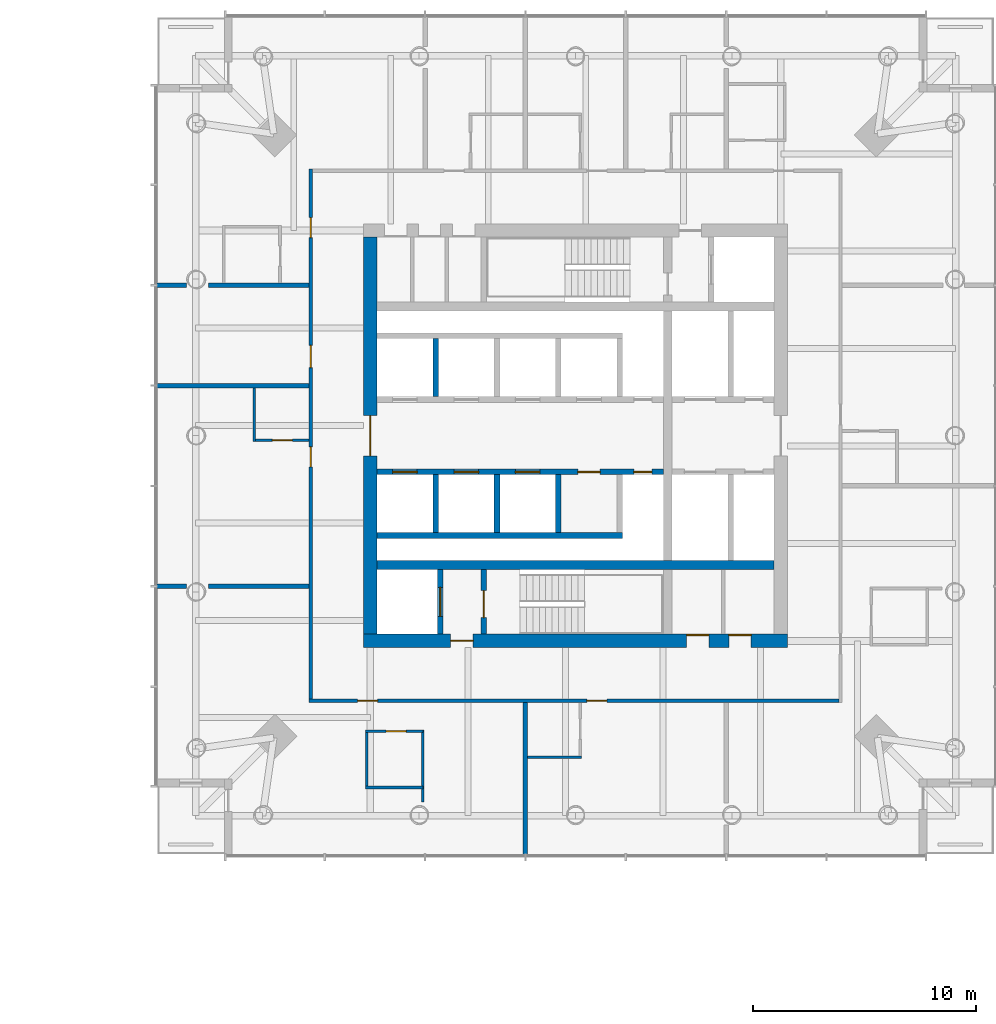
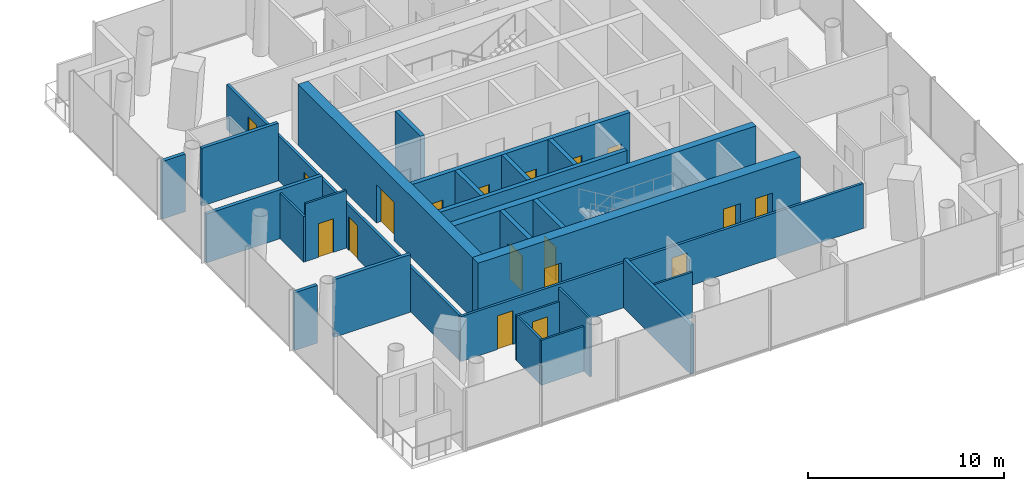
# One storey, part 13 of 26: 26 walls, 18 doors, 18 openings.
"""IFC4 building model written with IfcOpenShell, lengths in metres."""

from ifc_helpers import new_model, si_unit, direction, frame, frame_2d, origin, place, context, subcontext, project, spatial, rectangle, extrude, material, layer, layer_set, type_object, element, fill, save


model = new_model("IFC4")

# Units and contexts
model_context = context("Model", 3, precision=1e-05, world=origin(), true_north=direction((0.0, 1.0)))
body_context = subcontext(model_context, "Body", "Model", "MODEL_VIEW")
ifc_project = project(units=[si_unit("LENGTHUNIT", "METRE"), si_unit("AREAUNIT", "SQUARE_METRE"), si_unit("VOLUMEUNIT", "CUBIC_METRE"), si_unit("PLANEANGLEUNIT", "RADIAN"), si_unit("MASSUNIT", "GRAM", prefix="KILO")], contexts=[model_context])

# Site, building, storey
site_placement = place(None, origin())
site = spatial("IfcSite", under=ifc_project, at=site_placement, CompositionType="ELEMENT")
building_placement = place(site_placement, origin())
building = spatial("IfcBuilding", under=site, at=building_placement, Name="Ostroluk Exchange", CompositionType="ELEMENT")
storey_placement = place(building_placement, frame((0.0, 0.0, 66.60009765625)))
storey = spatial("IfcBuildingStorey", under=building, at=storey_placement, Name="L16", CompositionType="ELEMENT", Elevation=66.60009765625)

# Wall
ifc_material_1 = material(Name="Concrete C50/60", Category="concrete")
ifc_layer_1 = layer(ifc_material_1, 0.39990234375)
ifc_layer_set_1 = layer_set([ifc_layer_1], Name="Core cross wall 400 C50/60")
wall_type_1 = type_object("IfcWallType", Name="Core cross wall 400 C50/60", PredefinedType="SHEAR", material=ifc_layer_set_1)
wall_1_placement = place(storey_placement, frame((108.10009765625, 40.199951171875, 0.0), z_axis=(0.0, 0.0, 1.0), x_axis=(1.0, 0.0, 0.0)))
element("IfcWall", 1, at=wall_1_placement, inside=storey, type_object=wall_type_1, Name="T2 core wall XS", PredefinedType="SHEAR", context=body_context, shape_type="SweptSolid", body=[
    extrude(rectangle(XDim=17.7998046875, YDim=0.39990234375, at=frame_2d((8.89990234375, 0.0))), origin(), (0.0, 0.0, 1.0), 3.7998046875),
])

# Wall, opening, door
ifc_material_2 = material(Name="Concrete C40/50", Category="concrete")
ifc_layer_2 = layer(ifc_material_2, 0.25)
ifc_layer_set_2 = layer_set([ifc_layer_2], Name="Core shaft wall 250")
wall_type_2 = type_object("IfcWallType", Name="Core shaft wall 250", PredefinedType="SHEAR", material=ifc_layer_set_2)
wall_2_placement = place(storey_placement, frame((110.925048828125, 37.10009765625, 0.0), z_axis=(0.0, 0.0, 1.0), x_axis=(0.0, 1.0, 0.0)))
wall_2 = element("IfcWall", 2, at=wall_2_placement, inside=storey, type_object=wall_type_2, Name="Firefighting lift shaft wall", PredefinedType="SHEAR", context=body_context, shape_type="SweptSolid", body=[
    extrude(rectangle(XDim=2.89990234375, YDim=0.25, at=frame_2d((1.449951171875, 0.0))), origin(), (0.0, 0.0, 1.0), 3.7998046875),
])
opening_1_placement = place(wall_2_placement, frame((0.800048828125, 0.0, 0.0)))
opening_1 = element("IfcOpeningElement", 3, at=opening_1_placement, cuts=wall_2, Name="Opening LD2", PredefinedType="OPENING", context=body_context, shape_type="SweptSolid", body=[
    extrude(rectangle(XDim=1.300048828125, YDim=2.199951171875, at=frame_2d((0.64990234375, 1.10009765625))), frame((0.0, 0.135009765625, 0.0), z_axis=(0.0, -1.0, 0.0), x_axis=(1.0, 0.0, 0.0)), (0.0, 0.0, 1.0), 0.27001953125),
])
ifc_material_3 = material(Name="Stainless steel", Category="steel")
door_type_1 = type_object("IfcDoorType", Name="Lift landing door E 60 1300 x 2200", OperationType="DOUBLE_DOOR_SLIDING", PredefinedType="DOOR", material=ifc_material_3)
door_1_placement = place(opening_1_placement, origin())
door_1 = element("IfcDoor", 4, at=door_1_placement, inside=storey, type_object=door_type_1, Name="Lift HF1 landing door", OperationType="DOUBLE_DOOR_SLIDING", OverallHeight=2.199951171875, OverallWidth=1.300048828125, PredefinedType="DOOR", context=body_context, shape_type="SweptSolid", body=[
    extrude(rectangle(XDim=1.300048828125, YDim=2.199951171875, at=frame_2d((0.64990234375, 1.10009765625))), frame((0.0, 0.02490234375, 0.0), z_axis=(0.0, -1.0, 0.0), x_axis=(1.0, 0.0, 0.0)), (0.0, 0.0, 1.0), 0.050048828125),
])
fill(opening_1, door_1)

wall_3_placement = place(storey_placement, frame((112.875, 37.10009765625, 0.0), z_axis=(0.0, 0.0, 1.0), x_axis=(0.0, 1.0, 0.0)))
wall_3 = element("IfcWall", 5, at=wall_3_placement, inside=storey, type_object=wall_type_2, Name="Stair shaft wall", PredefinedType="SHEAR", context=body_context, shape_type="SweptSolid", body=[
    extrude(rectangle(XDim=2.89990234375, YDim=0.25, at=frame_2d((1.449951171875, 0.0))), origin(), (0.0, 0.0, 1.0), 3.7998046875),
])
opening_2_placement = place(wall_3_placement, frame((0.75, 0.0, 0.0)))
opening_2 = element("IfcOpeningElement", 6, at=opening_2_placement, cuts=wall_3, Name="Opening FD60S", PredefinedType="OPENING", context=body_context, shape_type="SweptSolid", body=[
    extrude(rectangle(XDim=1.199951171875, YDim=2.10009765625, at=frame_2d((0.60009765625, 1.050048828125))), frame((0.0, 0.135009765625, 0.0), z_axis=(0.0, -1.0, 0.0), x_axis=(1.0, 0.0, 0.0)), (0.0, 0.0, 1.0), 0.27001953125),
])
ifc_material_4 = material(Name="Steel", Category="steel")
door_type_2 = type_object("IfcDoorType", Name="Stair door EI 60 1200 x 2100", OperationType="SINGLE_SWING_LEFT", PredefinedType="DOOR", material=ifc_material_4)
door_2_placement = place(opening_2_placement, origin())
door_2 = element("IfcDoor", 7, at=door_2_placement, inside=storey, type_object=door_type_2, Name="Stair T2-S1 door", OperationType="SINGLE_SWING_LEFT", OverallHeight=2.10009765625, OverallWidth=1.199951171875, PredefinedType="DOOR", context=body_context, shape_type="SweptSolid", body=[
    extrude(rectangle(XDim=1.199951171875, YDim=2.10009765625, at=frame_2d((0.60009765625, 1.050048828125))), frame((0.0, 0.02490234375, 0.0), z_axis=(0.0, -1.0, 0.0), x_axis=(1.0, 0.0, 0.0)), (0.0, 0.0, 1.0), 0.050048828125),
])
fill(opening_2, door_2)

# Walls
for number, where, z_axis, x_axis, name in (
    (8, (110.72509765625, 47.75, 0.0), (0.0, 0.0, 1.0), (0.0, 1.0, 0.0), "Lift shaft wall"),
    (9, (110.72509765625, 44.25, 0.0), (0.0, 0.0, 1.0), (0.0, -1.0, 0.0), "Lift shaft wall"),
    (10, (113.47509765625, 44.25, 0.0), (0.0, 0.0, 1.0), (0.0, -1.0, 0.0), "Lift shaft wall"),
    (11, (116.22509765625, 44.25, 0.0), (0.0, 0.0, 1.0), (0.0, -1.0, 0.0), "Lift shaft wall"),
):
    element("IfcWall", number, at=place(storey_placement, frame(where, z_axis=z_axis, x_axis=x_axis)), inside=storey, type_object=wall_type_2, Name=name, PredefinedType="SHEAR", context=body_context, shape_type="SweptSolid", body=[
        extrude(rectangle(XDim=2.60009765625, YDim=0.25, at=frame_2d((1.300048828125, 0.0))), origin(), (0.0, 0.0, 1.0), 3.7998046875),
    ])
wall_4_placement = place(storey_placement, frame((108.10009765625, 41.52490234375, 0.0), z_axis=(0.0, 0.0, 1.0), x_axis=(1.0, 0.0, 0.0)))
element("IfcWall", 12, at=wall_4_placement, inside=storey, type_object=wall_type_2, Name="Lift shaft wall", PredefinedType="SHEAR", context=body_context, shape_type="SweptSolid", body=[
    extrude(rectangle(XDim=11.0, YDim=0.25, at=frame_2d((5.5, 0.0))), origin(), (0.0, 0.0, 1.0), 3.7998046875),
])

# Wall, openings, doors
wall_5_placement = place(storey_placement, frame((108.10009765625, 44.375, 0.0), z_axis=(0.0, 0.0, 1.0), x_axis=(1.0, 0.0, 0.0)))
wall_5 = element("IfcWall", 13, at=wall_5_placement, inside=storey, type_object=wall_type_2, Name="Lift shaft front wall", PredefinedType="SHEAR", context=body_context, shape_type="SweptSolid", body=[
    extrude(rectangle(XDim=12.829833984375, YDim=0.25, at=frame_2d((6.4150390625, 0.0))), origin(), (0.0, 0.0, 1.0), 3.7998046875),
])
opening_3_placement = place(wall_5_placement, frame((0.699951171875, 0.0, 0.0)))
opening_3 = element("IfcOpeningElement", 14, at=opening_3_placement, cuts=wall_5, Name="Opening LD", PredefinedType="OPENING", context=body_context, shape_type="SweptSolid", body=[
    extrude(rectangle(XDim=1.10009765625, YDim=2.199951171875, at=frame_2d((0.550048828125, 1.10009765625))), frame((0.0, 0.135009765625, 0.0), z_axis=(0.0, -1.0, 0.0), x_axis=(1.0, 0.0, 0.0)), (0.0, 0.0, 1.0), 0.27001953125),
])
opening_4_placement = place(wall_5_placement, frame((3.449951171875, 0.0, 0.0)))
opening_4 = element("IfcOpeningElement", 15, at=opening_4_placement, cuts=wall_5, Name="Opening LD", PredefinedType="OPENING", context=body_context, shape_type="SweptSolid", body=[
    extrude(rectangle(XDim=1.10009765625, YDim=2.199951171875, at=frame_2d((0.550048828125, 1.10009765625))), frame((0.0, 0.135009765625, 0.0), z_axis=(0.0, -1.0, 0.0), x_axis=(1.0, 0.0, 0.0)), (0.0, 0.0, 1.0), 0.27001953125),
])
opening_5_placement = place(wall_5_placement, frame((6.199951171875, 0.0, 0.0)))
opening_5 = element("IfcOpeningElement", 16, at=opening_5_placement, cuts=wall_5, Name="Opening LD", PredefinedType="OPENING", context=body_context, shape_type="SweptSolid", body=[
    extrude(rectangle(XDim=1.10009765625, YDim=2.199951171875, at=frame_2d((0.550048828125, 1.10009765625))), frame((0.0, 0.135009765625, 0.0), z_axis=(0.0, -1.0, 0.0), x_axis=(1.0, 0.0, 0.0)), (0.0, 0.0, 1.0), 0.27001953125),
])
opening_6_placement = place(wall_5_placement, frame((9.0, 0.0, 0.0)))
opening_6 = element("IfcOpeningElement", 17, at=opening_6_placement, cuts=wall_5, Name="Opening FD60", PredefinedType="OPENING", context=body_context, shape_type="SweptSolid", body=[
    extrude(rectangle(XDim=1.0, YDim=2.10009765625, at=frame_2d((0.5, 1.050048828125))), frame((0.0, 0.135009765625, 0.0), z_axis=(0.0, -1.0, 0.0), x_axis=(1.0, 0.0, 0.0)), (0.0, 0.0, 1.0), 0.27001953125),
])
opening_7_placement = place(wall_5_placement, frame((11.514892578125, 0.0, 0.0)))
opening_7 = element("IfcOpeningElement", 18, at=opening_7_placement, cuts=wall_5, Name="Opening RD60", PredefinedType="OPENING", context=body_context, shape_type="SweptSolid", body=[
    extrude(rectangle(XDim=0.800048828125, YDim=2.0, at=frame_2d((0.39990234375, 1.0))), frame((0.0, 0.135009765625, 0.0), z_axis=(0.0, -1.0, 0.0), x_axis=(1.0, 0.0, 0.0)), (0.0, 0.0, 1.0), 0.27001953125),
])
ifc_material_5 = material(Name="Steel", Category="steel")
door_type_3 = type_object("IfcDoorType", Name="Fire door EI 60 1000 x 2100", OperationType="SINGLE_SWING_LEFT", PredefinedType="DOOR", material=ifc_material_5)
door_3_placement = place(opening_6_placement, origin())
door_3 = element("IfcDoor", 19, at=door_3_placement, inside=storey, type_object=door_type_3, Name="Core room door", OperationType="SINGLE_SWING_RIGHT", OverallHeight=2.10009765625, OverallWidth=1.0, PredefinedType="DOOR", context=body_context, shape_type="SweptSolid", body=[
    extrude(rectangle(XDim=1.0, YDim=2.10009765625, at=frame_2d((0.5, 1.050048828125))), frame((0.0, 0.02490234375, 0.0), z_axis=(0.0, -1.0, 0.0), x_axis=(1.0, 0.0, 0.0)), (0.0, 0.0, 1.0), 0.050048828125),
])
fill(opening_6, door_3)
ifc_material_6 = material(Name="Stainless steel", Category="steel")
door_type_4 = type_object("IfcDoorType", Name="Lift landing door E 60 1100 x 2200", OperationType="DOUBLE_DOOR_SLIDING", PredefinedType="DOOR", material=ifc_material_6)
door_4_placement = place(opening_3_placement, origin())
door_4 = element("IfcDoor", 20, at=door_4_placement, inside=storey, type_object=door_type_4, Name="Lift HL5 landing door", OperationType="DOUBLE_DOOR_SLIDING", OverallHeight=2.199951171875, OverallWidth=1.10009765625, PredefinedType="DOOR", context=body_context, shape_type="SweptSolid", body=[
    extrude(rectangle(XDim=1.10009765625, YDim=2.199951171875, at=frame_2d((0.550048828125, 1.10009765625))), frame((0.0, 0.02490234375, 0.0), z_axis=(0.0, -1.0, 0.0), x_axis=(1.0, 0.0, 0.0)), (0.0, 0.0, 1.0), 0.050048828125),
])
fill(opening_3, door_4)
door_5_placement = place(opening_4_placement, origin())
door_5 = element("IfcDoor", 21, at=door_5_placement, inside=storey, type_object=door_type_4, Name="Lift HL6 landing door", OperationType="DOUBLE_DOOR_SLIDING", OverallHeight=2.199951171875, OverallWidth=1.10009765625, PredefinedType="DOOR", context=body_context, shape_type="SweptSolid", body=[
    extrude(rectangle(XDim=1.10009765625, YDim=2.199951171875, at=frame_2d((0.550048828125, 1.10009765625))), frame((0.0, 0.02490234375, 0.0), z_axis=(0.0, -1.0, 0.0), x_axis=(1.0, 0.0, 0.0)), (0.0, 0.0, 1.0), 0.050048828125),
])
fill(opening_4, door_5)
door_6_placement = place(opening_5_placement, origin())
door_6 = element("IfcDoor", 22, at=door_6_placement, inside=storey, type_object=door_type_4, Name="Lift HL7 landing door", OperationType="DOUBLE_DOOR_SLIDING", OverallHeight=2.199951171875, OverallWidth=1.10009765625, PredefinedType="DOOR", context=body_context, shape_type="SweptSolid", body=[
    extrude(rectangle(XDim=1.10009765625, YDim=2.199951171875, at=frame_2d((0.550048828125, 1.10009765625))), frame((0.0, 0.02490234375, 0.0), z_axis=(0.0, -1.0, 0.0), x_axis=(1.0, 0.0, 0.0)), (0.0, 0.0, 1.0), 0.050048828125),
])
fill(opening_5, door_6)
ifc_material_7 = material(Name="Steel", Category="steel")
door_type_5 = type_object("IfcDoorType", Name="Riser access door EI 60 800 x 2000", OperationType="SINGLE_SWING_LEFT", PredefinedType="DOOR", material=ifc_material_7)
door_7_placement = place(opening_7_placement, origin())
door_7 = element("IfcDoor", 23, at=door_7_placement, inside=storey, type_object=door_type_5, Name="Riser access door", OperationType="SINGLE_SWING_RIGHT", OverallHeight=2.0, OverallWidth=0.800048828125, PredefinedType="DOOR", context=body_context, shape_type="SweptSolid", body=[
    extrude(rectangle(XDim=0.800048828125, YDim=2.0, at=frame_2d((0.39990234375, 1.0))), frame((0.0, 0.02490234375, 0.0), z_axis=(0.0, -1.0, 0.0), x_axis=(1.0, 0.0, 0.0)), (0.0, 0.0, 1.0), 0.050048828125),
])
fill(opening_7, door_7)

ifc_material_8 = material(Name="Concrete C50/60", Category="concrete")
ifc_layer_3 = layer(ifc_material_8, 0.60009765625)
ifc_layer_set_3 = layer_set([ifc_layer_3], Name="Core wall 600 C50/60")
wall_type_3 = type_object("IfcWallType", Name="Core wall 600 C50/60", PredefinedType="SHEAR", material=ifc_layer_set_3)
wall_6_placement = place(storey_placement, frame((107.5, 36.800048828125, 0.0), z_axis=(0.0, 0.0, 1.0), x_axis=(1.0, 0.0, 0.0)))
wall_6 = element("IfcWall", 24, at=wall_6_placement, inside=storey, type_object=wall_type_3, Name="T2 core wall S", PredefinedType="SHEAR", context=body_context, shape_type="SweptSolid", body=[
    extrude(rectangle(XDim=19.0, YDim=0.60009765625, at=frame_2d((9.5, 0.0))), origin(), (0.0, 0.0, 1.0), 3.7998046875),
])
opening_8_placement = place(wall_6_placement, frame((3.89990234375, 0.0, 0.0)))
opening_8 = element("IfcOpeningElement", 25, at=opening_8_placement, cuts=wall_6, Name="Opening FD60", PredefinedType="OPENING", context=body_context, shape_type="SweptSolid", body=[
    extrude(rectangle(XDim=1.0, YDim=2.10009765625, at=frame_2d((0.5, 1.050048828125))), frame((0.0, 0.31005859375, 0.0), z_axis=(0.0, -1.0, 0.0), x_axis=(1.0, 0.0, 0.0)), (0.0, 0.0, 1.0), 0.6201171875),
])
opening_9_placement = place(wall_6_placement, frame((14.472412109375, 0.0, 0.0)))
opening_9 = element("IfcOpeningElement", 26, at=opening_9_placement, cuts=wall_6, Name="Opening FD60", PredefinedType="OPENING", context=body_context, shape_type="SweptSolid", body=[
    extrude(rectangle(XDim=1.0, YDim=2.10009765625, at=frame_2d((0.5, 1.050048828125))), frame((0.0, 0.31005859375, 0.0), z_axis=(0.0, -1.0, 0.0), x_axis=(1.0, 0.0, 0.0)), (0.0, 0.0, 1.0), 0.6201171875),
])
opening_10_placement = place(wall_6_placement, frame((16.364990234375, 0.0, 0.0)))
opening_10 = element("IfcOpeningElement", 27, at=opening_10_placement, cuts=wall_6, Name="Opening FD60", PredefinedType="OPENING", context=body_context, shape_type="SweptSolid", body=[
    extrude(rectangle(XDim=1.0, YDim=2.10009765625, at=frame_2d((0.5, 1.050048828125))), frame((0.0, 0.31005859375, 0.0), z_axis=(0.0, -1.0, 0.0), x_axis=(1.0, 0.0, 0.0)), (0.0, 0.0, 1.0), 0.6201171875),
])
door_8_placement = place(opening_8_placement, origin())
door_8 = element("IfcDoor", 28, at=door_8_placement, inside=storey, type_object=door_type_3, Name="Firefighting lobby door", OperationType="SINGLE_SWING_LEFT", OverallHeight=2.10009765625, OverallWidth=1.0, PredefinedType="DOOR", context=body_context, shape_type="SweptSolid", body=[
    extrude(rectangle(XDim=1.0, YDim=2.10009765625, at=frame_2d((0.5, 1.050048828125))), frame((0.0, 0.02490234375, 0.0), z_axis=(0.0, -1.0, 0.0), x_axis=(1.0, 0.0, 0.0)), (0.0, 0.0, 1.0), 0.050048828125),
])
fill(opening_8, door_8)
door_9_placement = place(opening_9_placement, origin())
door_9 = element("IfcDoor", 29, at=door_9_placement, inside=storey, type_object=door_type_3, Name="Ice and vending room door", OperationType="SINGLE_SWING_RIGHT", OverallHeight=2.10009765625, OverallWidth=1.0, PredefinedType="DOOR", context=body_context, shape_type="SweptSolid", body=[
    extrude(rectangle(XDim=1.0, YDim=2.10009765625, at=frame_2d((0.5, 1.050048828125))), frame((0.0, 0.2900390625, 0.0), z_axis=(0.0, -1.0, 0.0), x_axis=(1.0, 0.0, 0.0)), (0.0, 0.0, 1.0), 0.050048828125),
])
fill(opening_9, door_9)
door_10_placement = place(opening_10_placement, origin())
door_10 = element("IfcDoor", 30, at=door_10_placement, inside=storey, type_object=door_type_3, Name="Room-service pantry door", OperationType="SINGLE_SWING_RIGHT", OverallHeight=2.10009765625, OverallWidth=1.0, PredefinedType="DOOR", context=body_context, shape_type="SweptSolid", body=[
    extrude(rectangle(XDim=1.0, YDim=2.10009765625, at=frame_2d((0.5, 1.050048828125))), frame((0.0, 0.2900390625, 0.0), z_axis=(0.0, -1.0, 0.0), x_axis=(1.0, 0.0, 0.0)), (0.0, 0.0, 1.0), 0.050048828125),
])
fill(opening_10, door_10)

# Wall, opening, door
wall_7_placement = place(storey_placement, frame((107.800048828125, 37.10009765625, 0.0), z_axis=(0.0, 0.0, 1.0), x_axis=(0.0, 1.0, 0.0)))
wall_7 = element("IfcWall", 31, at=wall_7_placement, inside=storey, type_object=wall_type_3, Name="T2 core wall W", PredefinedType="SHEAR", context=body_context, shape_type="SweptSolid", body=[
    extrude(rectangle(XDim=17.7998046875, YDim=0.60009765625, at=frame_2d((8.89990234375, 0.0))), origin(), (0.0, 0.0, 1.0), 3.7998046875),
])
opening_11_placement = place(wall_7_placement, frame((8.0, 0.0, 0.0)))
opening_11 = element("IfcOpeningElement", 32, at=opening_11_placement, cuts=wall_7, Name="Opening FD30D", PredefinedType="OPENING", context=body_context, shape_type="SweptSolid", body=[
    extrude(rectangle(XDim=1.800048828125, YDim=2.39990234375, at=frame_2d((0.89990234375, 1.199951171875))), frame((0.0, 0.31005859375, 0.0), z_axis=(0.0, -1.0, 0.0), x_axis=(1.0, 0.0, 0.0)), (0.0, 0.0, 1.0), 0.6201171875),
])
ifc_material_9 = material(Name="Timber", Category="wood")
door_type_6 = type_object("IfcDoorType", Name="Lobby double door EI 30 1800 x 2400", OperationType="DOUBLE_DOOR_SINGLE_SWING", PredefinedType="DOOR", material=ifc_material_9)
door_11_placement = place(opening_11_placement, origin())
door_11 = element("IfcDoor", 33, at=door_11_placement, inside=storey, type_object=door_type_6, Name="Lift lobby doors", OperationType="DOUBLE_DOOR_SINGLE_SWING", OverallHeight=2.39990234375, OverallWidth=1.800048828125, PredefinedType="DOOR", context=body_context, shape_type="SweptSolid", body=[
    extrude(rectangle(XDim=1.800048828125, YDim=2.39990234375, at=frame_2d((0.89990234375, 1.199951171875))), frame((0.0, 0.02490234375, 0.0), z_axis=(0.0, -1.0, 0.0), x_axis=(1.0, 0.0, 0.0)), (0.0, 0.0, 1.0), 0.050048828125),
])
fill(opening_11, door_11)

# Wall
ifc_material_10 = material(Name="Gypsum plasterboard partition, moisture resistant", Category="gypsum")
ifc_layer_4 = layer(ifc_material_10, 0.1201171875)
ifc_layer_set_4 = layer_set([ifc_layer_4], Name="Plasterboard en-suite wall 120")
wall_type_4 = type_object("IfcWallType", Name="Plasterboard en-suite wall 120", PredefinedType="PARTITIONING", material=ifc_layer_set_4)
wall_8_placement = place(storey_placement, frame((102.590087890625, 48.14990234375, 0.0), z_axis=(0.0, 0.0, 1.0), x_axis=(0.0, -1.0, 0.0)))
element("IfcWall", 34, at=wall_8_placement, inside=storey, type_object=wall_type_4, Name="En-suite wall", PredefinedType="PARTITIONING", context=body_context, shape_type="SweptSolid", body=[
    extrude(rectangle(XDim=2.419921875, YDim=0.1201171875, at=frame_2d((1.2099609375, 0.0))), origin(), (0.0, 0.0, 1.0), 2.846923828125),
])

# Wall, opening, door
wall_9_placement = place(storey_placement, frame((105.050048828125, 45.7900390625, 0.0), z_axis=(0.0, 0.0, 1.0), x_axis=(-1.0, 0.0, 0.0)))
wall_9 = element("IfcWall", 35, at=wall_9_placement, inside=storey, type_object=wall_type_4, Name="En-suite wall", PredefinedType="PARTITIONING", context=body_context, shape_type="SweptSolid", body=[
    extrude(rectangle(XDim=2.400146484375, YDim=0.1201171875, at=frame_2d((1.2001953125, 0.0))), origin(), (0.0, 0.0, 1.0), 3.599853515625),
])
opening_12_placement = place(wall_9_placement, frame((0.75, 0.0, 0.0)))
opening_12 = element("IfcOpeningElement", 36, at=opening_12_placement, cuts=wall_9, Name="Opening D-02", PredefinedType="OPENING", context=body_context, shape_type="SweptSolid", body=[
    extrude(rectangle(XDim=0.89990234375, YDim=2.10009765625, at=frame_2d((0.449951171875, 1.050048828125))), frame((0.0, 0.070068359375, 0.0), z_axis=(0.0, -1.0, 0.0), x_axis=(1.0, 0.0, 0.0)), (0.0, 0.0, 1.0), 0.14013671875),
])
ifc_material_11 = material(Name="Timber", Category="wood")
door_type_7 = type_object("IfcDoorType", Name="En-suite door 900 x 2100", OperationType="SINGLE_SWING_LEFT", PredefinedType="DOOR", material=ifc_material_11)
door_12_placement = place(opening_12_placement, origin())
door_12 = element("IfcDoor", 37, at=door_12_placement, inside=storey, type_object=door_type_7, Name="En-suite door 1608", OperationType="SINGLE_SWING_RIGHT", OverallHeight=2.10009765625, OverallWidth=0.89990234375, PredefinedType="DOOR", context=body_context, shape_type="SweptSolid", body=[
    extrude(rectangle(XDim=0.89990234375, YDim=2.10009765625, at=frame_2d((0.449951171875, 1.050048828125))), frame((0.0, 0.02490234375, 0.0), z_axis=(0.0, -1.0, 0.0), x_axis=(1.0, 0.0, 0.0)), (0.0, 0.0, 1.0), 0.050048828125),
])
fill(opening_12, door_12)

wall_10_placement = place(storey_placement, frame((110.14990234375, 32.75, 0.0), z_axis=(0.0, 0.0, 1.0), x_axis=(-1.0, 0.0, 0.0)))
wall_10 = element("IfcWall", 38, at=wall_10_placement, inside=storey, type_object=wall_type_4, Name="En-suite wall", PredefinedType="PARTITIONING", context=body_context, shape_type="SweptSolid", body=[
    extrude(rectangle(XDim=2.579833984375, YDim=0.1201171875, at=frame_2d((1.2900390625, 0.0))), origin(), (0.0, 0.0, 1.0), 2.7998046875),
])
opening_13_placement = place(wall_10_placement, frame((0.75, 0.0, 0.0)))
opening_13 = element("IfcOpeningElement", 39, at=opening_13_placement, cuts=wall_10, Name="Opening D-02", PredefinedType="OPENING", context=body_context, shape_type="SweptSolid", body=[
    extrude(rectangle(XDim=0.89990234375, YDim=2.10009765625, at=frame_2d((0.449951171875, 1.050048828125))), frame((0.0, 0.070068359375, 0.0), z_axis=(0.0, -1.0, 0.0), x_axis=(1.0, 0.0, 0.0)), (0.0, 0.0, 1.0), 0.14013671875),
])
door_13_placement = place(opening_13_placement, origin())
door_13 = element("IfcDoor", 40, at=door_13_placement, inside=storey, type_object=door_type_7, Name="En-suite door 1609", OperationType="SINGLE_SWING_LEFT", OverallHeight=2.10009765625, OverallWidth=0.89990234375, PredefinedType="DOOR", context=body_context, shape_type="SweptSolid", body=[
    extrude(rectangle(XDim=0.89990234375, YDim=2.10009765625, at=frame_2d((0.449951171875, 1.050048828125))), frame((0.0, 0.02490234375, 0.0), z_axis=(0.0, -1.0, 0.0), x_axis=(1.0, 0.0, 0.0)), (0.0, 0.0, 1.0), 0.050048828125),
])
fill(opening_13, door_13)

# Walls
wall_11_placement = place(storey_placement, frame((110.14990234375, 30.22998046875, 0.0), z_axis=(0.0, 0.0, 1.0), x_axis=(-1.0, 0.0, 0.0)))
element("IfcWall", 41, at=wall_11_placement, inside=storey, type_object=wall_type_4, Name="En-suite wall", PredefinedType="PARTITIONING", context=body_context, shape_type="SweptSolid", body=[
    extrude(rectangle(XDim=2.579833984375, YDim=0.1201171875, at=frame_2d((1.2900390625, 0.0))), origin(), (0.0, 0.0, 1.0), 2.7998046875),
])
wall_12_placement = place(storey_placement, frame((107.6298828125, 32.68994140625, 0.0), z_axis=(0.0, 0.0, 1.0), x_axis=(0.0, -1.0, 0.0)))
element("IfcWall", 42, at=wall_12_placement, inside=storey, type_object=wall_type_4, Name="En-suite wall", PredefinedType="PARTITIONING", context=body_context, shape_type="SweptSolid", body=[
    extrude(rectangle(XDim=2.39990234375, YDim=0.1201171875, at=frame_2d((1.199951171875, 0.0))), origin(), (0.0, 0.0, 1.0), 2.7998046875),
])
wall_13_placement = place(storey_placement, frame((110.14990234375, 32.81005859375, 0.0), z_axis=(0.0, 0.0, 1.0), x_axis=(0.0, -1.0, 0.0)))
element("IfcWall", 43, at=wall_13_placement, inside=storey, type_object=wall_type_4, Name="En-suite wall", PredefinedType="PARTITIONING", context=body_context, shape_type="SweptSolid", body=[
    extrude(rectangle(XDim=3.22998046875, YDim=0.1201171875, at=frame_2d((1.614990234375, 0.0))), origin(), (0.0, 0.0, 1.0), 3.599853515625),
])
wall_14_placement = place(storey_placement, frame((114.85009765625, 31.590087890625, 0.0), z_axis=(0.0, 0.0, 1.0), x_axis=(1.0, 0.0, 0.0)))
element("IfcWall", 44, at=wall_14_placement, inside=storey, type_object=wall_type_4, Name="En-suite wall", PredefinedType="PARTITIONING", context=body_context, shape_type="SweptSolid", body=[
    extrude(rectangle(XDim=2.419921875, YDim=0.1201171875, at=frame_2d((1.2099609375, 0.0))), origin(), (0.0, 0.0, 1.0), 2.846923828125),
])

# Wall, openings, doors
ifc_material_12 = material(Name="Gypsum plasterboard partition", Category="gypsum")
ifc_layer_5 = layer(ifc_material_12, 0.14990234375)
ifc_layer_set_5 = layer_set([ifc_layer_5], Name="Plasterboard partition 150")
wall_type_5 = type_object("IfcWallType", Name="Plasterboard partition 150", PredefinedType="PARTITIONING", material=ifc_layer_set_5)
wall_15_placement = place(storey_placement, frame((105.125, 57.949951171875, 0.0), z_axis=(0.0, 0.0, 1.0), x_axis=(0.0, -1.0, 0.0)))
wall_15 = element("IfcWall", 45, at=wall_15_placement, inside=storey, type_object=wall_type_5, Name="Corridor wall", PredefinedType="PARTITIONING", context=body_context, shape_type="SweptSolid", body=[
    extrude(rectangle(XDim=23.75, YDim=0.14990234375, at=frame_2d((11.875, 0.0))), origin(), (0.0, 0.0, 1.0), 2.7998046875),
])
opening_14_placement = place(wall_15_placement, frame((2.175048828125, 0.0, 0.0)))
opening_14 = element("IfcOpeningElement", 46, at=opening_14_placement, cuts=wall_15, Name="Opening D-01", PredefinedType="OPENING", context=body_context, shape_type="SweptSolid", body=[
    extrude(rectangle(XDim=0.89990234375, YDim=2.10009765625, at=frame_2d((0.449951171875, 1.050048828125))), frame((0.0, 0.0849609375, 0.0), z_axis=(0.0, -1.0, 0.0), x_axis=(1.0, 0.0, 0.0)), (0.0, 0.0, 1.0), 0.169921875),
])
opening_15_placement = place(wall_15_placement, frame((7.89990234375, 0.0, 0.0)))
opening_15 = element("IfcOpeningElement", 47, at=opening_15_placement, cuts=wall_15, Name="Opening D-03", PredefinedType="OPENING", context=body_context, shape_type="SweptSolid", body=[
    extrude(rectangle(XDim=1.0, YDim=2.10009765625, at=frame_2d((0.5, 1.050048828125))), frame((0.0, 0.0849609375, 0.0), z_axis=(0.0, -1.0, 0.0), x_axis=(1.0, 0.0, 0.0)), (0.0, 0.0, 1.0), 0.169921875),
])
opening_16_placement = place(wall_15_placement, frame((12.449951171875, 0.0, 0.0)))
opening_16 = element("IfcOpeningElement", 48, at=opening_16_placement, cuts=wall_15, Name="Opening D-01", PredefinedType="OPENING", context=body_context, shape_type="SweptSolid", body=[
    extrude(rectangle(XDim=0.89990234375, YDim=2.10009765625, at=frame_2d((0.449951171875, 1.050048828125))), frame((0.0, 0.0849609375, 0.0), z_axis=(0.0, -1.0, 0.0), x_axis=(1.0, 0.0, 0.0)), (0.0, 0.0, 1.0), 0.169921875),
])
ifc_material_13 = material(Name="Timber", Category="wood")
door_type_8 = type_object("IfcDoorType", Name="Hotel room door EI 30 Sa 900 x 2100", OperationType="SINGLE_SWING_LEFT", PredefinedType="DOOR", material=ifc_material_13)
door_14_placement = place(opening_14_placement, origin())
door_14 = element("IfcDoor", 49, at=door_14_placement, inside=storey, type_object=door_type_8, Name="Room door 1607", OperationType="SINGLE_SWING_LEFT", OverallHeight=2.10009765625, OverallWidth=0.89990234375, PredefinedType="DOOR", context=body_context, shape_type="SweptSolid", body=[
    extrude(rectangle(XDim=0.89990234375, YDim=2.10009765625, at=frame_2d((0.449951171875, 1.050048828125))), frame((0.0, 0.02490234375, 0.0), z_axis=(0.0, -1.0, 0.0), x_axis=(1.0, 0.0, 0.0)), (0.0, 0.0, 1.0), 0.050048828125),
])
fill(opening_14, door_14)
door_15_placement = place(opening_16_placement, origin())
door_15 = element("IfcDoor", 50, at=door_15_placement, inside=storey, type_object=door_type_8, Name="Room door 1608", OperationType="SINGLE_SWING_RIGHT", OverallHeight=2.10009765625, OverallWidth=0.89990234375, PredefinedType="DOOR", context=body_context, shape_type="SweptSolid", body=[
    extrude(rectangle(XDim=0.89990234375, YDim=2.10009765625, at=frame_2d((0.449951171875, 1.050048828125))), frame((0.0, 0.02490234375, 0.0), z_axis=(0.0, -1.0, 0.0), x_axis=(1.0, 0.0, 0.0)), (0.0, 0.0, 1.0), 0.050048828125),
])
fill(opening_16, door_15)
ifc_material_14 = material(Name="Timber", Category="wood")
door_type_9 = type_object("IfcDoorType", Name="Internal door 1000 x 2100", OperationType="SINGLE_SWING_LEFT", PredefinedType="DOOR", material=ifc_material_14)
door_16_placement = place(opening_15_placement, origin())
door_16 = element("IfcDoor", 51, at=door_16_placement, inside=storey, type_object=door_type_9, Name="Housekeeping store door", OperationType="SINGLE_SWING_LEFT", OverallHeight=2.10009765625, OverallWidth=1.0, PredefinedType="DOOR", context=body_context, shape_type="SweptSolid", body=[
    extrude(rectangle(XDim=1.0, YDim=2.10009765625, at=frame_2d((0.5, 1.050048828125))), frame((0.0, 0.02490234375, 0.0), z_axis=(0.0, -1.0, 0.0), x_axis=(1.0, 0.0, 0.0)), (0.0, 0.0, 1.0), 0.050048828125),
])
fill(opening_15, door_16)

wall_16_placement = place(storey_placement, frame((105.050048828125, 34.125, 0.0), z_axis=(0.0, 0.0, 1.0), x_axis=(1.0, 0.0, 0.0)))
wall_16 = element("IfcWall", 52, at=wall_16_placement, inside=storey, type_object=wall_type_5, Name="Corridor wall", PredefinedType="PARTITIONING", context=body_context, shape_type="SweptSolid", body=[
    extrude(rectangle(XDim=23.75, YDim=0.14990234375, at=frame_2d((11.875, 0.0))), origin(), (0.0, 0.0, 1.0), 2.7998046875),
])
opening_17_placement = place(wall_16_placement, frame((2.175048828125, 0.0, 0.0)))
opening_17 = element("IfcOpeningElement", 53, at=opening_17_placement, cuts=wall_16, Name="Opening D-01", PredefinedType="OPENING", context=body_context, shape_type="SweptSolid", body=[
    extrude(rectangle(XDim=0.89990234375, YDim=2.10009765625, at=frame_2d((0.449951171875, 1.050048828125))), frame((0.0, 0.0849609375, 0.0), z_axis=(0.0, -1.0, 0.0), x_axis=(1.0, 0.0, 0.0)), (0.0, 0.0, 1.0), 0.169921875),
])
opening_18_placement = place(wall_16_placement, frame((12.449951171875, 0.0, 0.0)))
opening_18 = element("IfcOpeningElement", 54, at=opening_18_placement, cuts=wall_16, Name="Opening D-01", PredefinedType="OPENING", context=body_context, shape_type="SweptSolid", body=[
    extrude(rectangle(XDim=0.89990234375, YDim=2.10009765625, at=frame_2d((0.449951171875, 1.050048828125))), frame((0.0, 0.0849609375, 0.0), z_axis=(0.0, -1.0, 0.0), x_axis=(1.0, 0.0, 0.0)), (0.0, 0.0, 1.0), 0.169921875),
])
door_17_placement = place(opening_17_placement, origin())
door_17 = element("IfcDoor", 55, at=door_17_placement, inside=storey, type_object=door_type_8, Name="Room door 1609", OperationType="SINGLE_SWING_LEFT", OverallHeight=2.10009765625, OverallWidth=0.89990234375, PredefinedType="DOOR", context=body_context, shape_type="SweptSolid", body=[
    extrude(rectangle(XDim=0.89990234375, YDim=2.10009765625, at=frame_2d((0.449951171875, 1.050048828125))), frame((0.0, 0.02490234375, 0.0), z_axis=(0.0, -1.0, 0.0), x_axis=(1.0, 0.0, 0.0)), (0.0, 0.0, 1.0), 0.050048828125),
])
fill(opening_17, door_17)
door_18_placement = place(opening_18_placement, origin())
door_18 = element("IfcDoor", 56, at=door_18_placement, inside=storey, type_object=door_type_8, Name="Room door 1610", OperationType="SINGLE_SWING_RIGHT", OverallHeight=2.10009765625, OverallWidth=0.89990234375, PredefinedType="DOOR", context=body_context, shape_type="SweptSolid", body=[
    extrude(rectangle(XDim=0.89990234375, YDim=2.10009765625, at=frame_2d((0.449951171875, 1.050048828125))), frame((0.0, 0.02490234375, 0.0), z_axis=(0.0, -1.0, 0.0), x_axis=(1.0, 0.0, 0.0)), (0.0, 0.0, 1.0), 0.050048828125),
])
fill(opening_18, door_18)

# Walls
ifc_material_15 = material(Name="Gypsum plasterboard partition", Category="gypsum")
ifc_layer_6 = layer(ifc_material_15, 0.199951171875)
ifc_layer_set_6 = layer_set([ifc_layer_6], Name="Plasterboard party wall 200")
wall_type_6 = type_object("IfcWallType", Name="Plasterboard party wall 200", PredefinedType="PARTITIONING", material=ifc_layer_set_6)
wall_17_placement = place(storey_placement, frame((105.050048828125, 52.75, 0.0), z_axis=(0.0, 0.0, 1.0), x_axis=(-1.0, 0.0, 0.0)))
element("IfcWall", 57, at=wall_17_placement, inside=storey, type_object=wall_type_6, Name="Party wall", PredefinedType="PARTITIONING", context=body_context, shape_type="SweptSolid", body=[
    extrude(rectangle(XDim=4.51416015625, YDim=0.199951171875, at=frame_2d((2.257080078125, 0.0))), origin(), (0.0, 0.0, 1.0), 3.599853515625),
])
wall_18_placement = place(storey_placement, frame((99.55908203125, 52.75, 0.0), z_axis=(0.0, 0.0, 1.0), x_axis=(-1.0, 0.0, 0.0)))
element("IfcWall", 58, at=wall_18_placement, inside=storey, type_object=wall_type_6, Name="Party wall", PredefinedType="PARTITIONING", context=body_context, shape_type="SweptSolid", body=[
    extrude(rectangle(XDim=1.34912109375, YDim=0.199951171875, at=frame_2d((0.674560546875, 0.0))), origin(), (0.0, 0.0, 1.0), 3.599853515625),
])
wall_19_placement = place(storey_placement, frame((105.050048828125, 48.25, 0.0), z_axis=(0.0, 0.0, 1.0), x_axis=(-1.0, 0.0, 0.0)))
element("IfcWall", 59, at=wall_19_placement, inside=storey, type_object=wall_type_6, Name="Party wall", PredefinedType="PARTITIONING", context=body_context, shape_type="SweptSolid", body=[
    extrude(rectangle(XDim=6.840087890625, YDim=0.199951171875, at=frame_2d((3.419921875, 0.0))), origin(), (0.0, 0.0, 1.0), 3.0498046875),
])
wall_20_placement = place(storey_placement, frame((105.050048828125, 39.25, 0.0), z_axis=(0.0, 0.0, 1.0), x_axis=(-1.0, 0.0, 0.0)))
element("IfcWall", 60, at=wall_20_placement, inside=storey, type_object=wall_type_6, Name="Party wall", PredefinedType="PARTITIONING", context=body_context, shape_type="SweptSolid", body=[
    extrude(rectangle(XDim=4.51416015625, YDim=0.199951171875, at=frame_2d((2.257080078125, 0.0))), origin(), (0.0, 0.0, 1.0), 3.599853515625),
])
wall_21_placement = place(storey_placement, frame((99.55908203125, 39.25, 0.0), z_axis=(0.0, 0.0, 1.0), x_axis=(-1.0, 0.0, 0.0)))
element("IfcWall", 61, at=wall_21_placement, inside=storey, type_object=wall_type_6, Name="Party wall", PredefinedType="PARTITIONING", context=body_context, shape_type="SweptSolid", body=[
    extrude(rectangle(XDim=1.34912109375, YDim=0.199951171875, at=frame_2d((0.674560546875, 0.0))), origin(), (0.0, 0.0, 1.0), 3.599853515625),
])
wall_22_placement = place(storey_placement, frame((114.75, 34.050048828125, 0.0), z_axis=(0.0, 0.0, 1.0), x_axis=(0.0, -1.0, 0.0)))
element("IfcWall", 62, at=wall_22_placement, inside=storey, type_object=wall_type_6, Name="Party wall", PredefinedType="PARTITIONING", context=body_context, shape_type="SweptSolid", body=[
    extrude(rectangle(XDim=6.840087890625, YDim=0.199951171875, at=frame_2d((3.419921875, 0.0))), origin(), (0.0, 0.0, 1.0), 3.0498046875),
])

save(model, "model.ifc")
